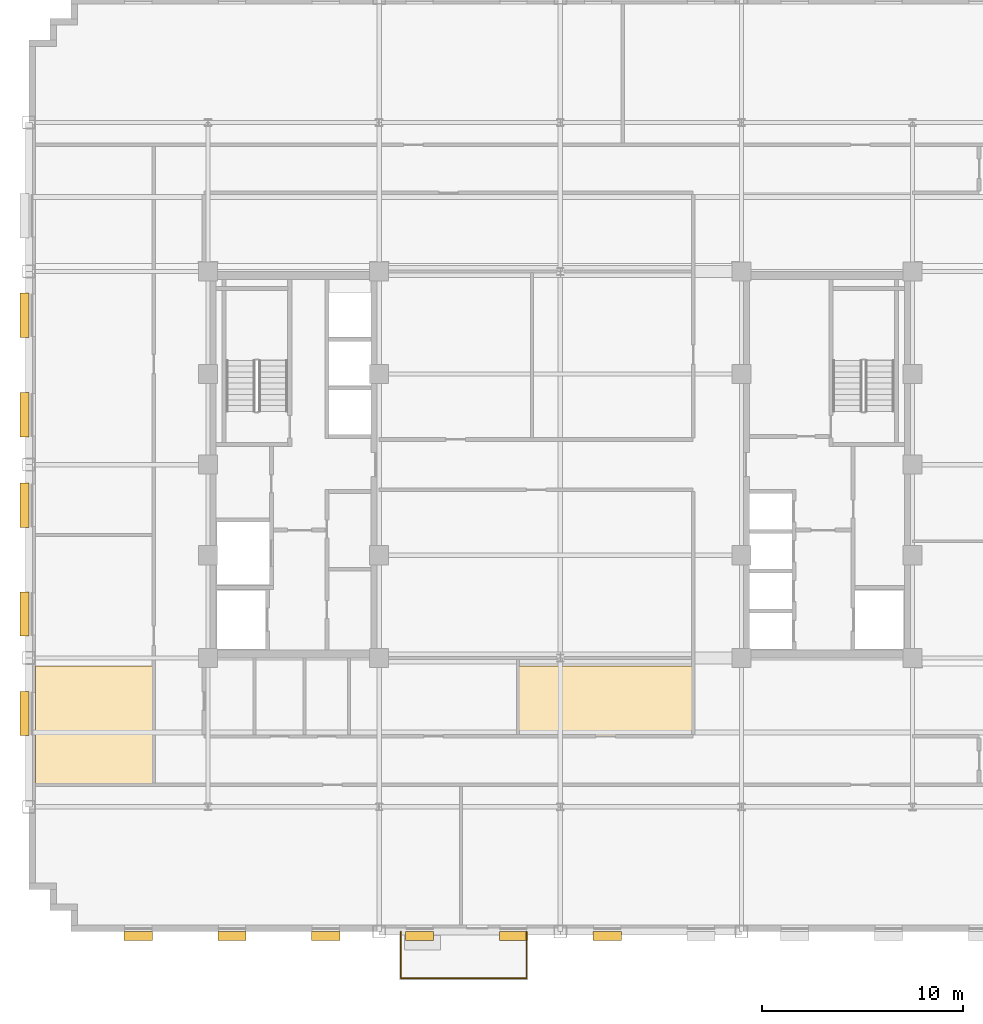
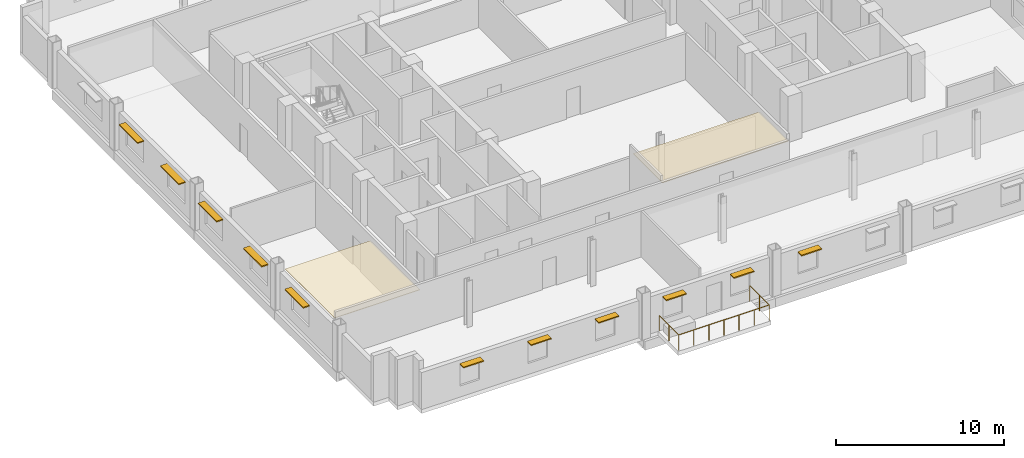
# One storey, part 10 of 14: 11 shading devices, 2 coverings, 1 railing.
"""IFC4 building model written with IfcOpenShell, lengths in metres."""

from ifc_helpers import new_model, si_unit, direction, frame, origin, origin_2d, place, context, subcontext, project, spatial, polyline, rectangle, circle, outline, extrude, source, transform, mapped, material, layer, layer_set, type_object, type_shapes, element, save


model = new_model("IFC4")

# Units and contexts
model_context = context("Model", 3, precision=1e-05, world=origin(), true_north=direction((0.0, 1.0)))
body_context = subcontext(model_context, "Body", "Model", "MODEL_VIEW")
ifc_project = project(units=[si_unit("LENGTHUNIT", "METRE"), si_unit("AREAUNIT", "SQUARE_METRE"), si_unit("VOLUMEUNIT", "CUBIC_METRE"), si_unit("PLANEANGLEUNIT", "RADIAN"), si_unit("MASSUNIT", "GRAM", prefix="KILO")], contexts=[model_context])

# Site, building, storey
site_placement = place(None, origin())
site = spatial("IfcSite", under=ifc_project, at=site_placement, CompositionType="ELEMENT")
building_placement = place(site_placement, origin())
building = spatial("IfcBuilding", under=site, at=building_placement, Name="Nuvemarco Arch Tower", CompositionType="ELEMENT")
storey_placement = place(building_placement, frame((0.0, 0.0, 131.14990234375)))
storey = spatial("IfcBuildingStorey", under=building, at=storey_placement, Name="L34", CompositionType="ELEMENT", Elevation=131.14990234375)

# Coverings
ifc_material_1 = material(Name="Mineral acoustic ceiling tile")
ifc_layer = layer(ifc_material_1, 0.0400390625, Name="COV-ACOUSTIC-CLG")
ifc_layer_set = layer_set([ifc_layer], Name="Mineral acoustic ceiling tile")
covering_type = type_object("IfcCoveringType", Name="COV-ACOUSTIC-CLG", PredefinedType="CEILING", material=ifc_layer_set)
covering_1_placement = place(storey_placement, frame((0.0, 0.0, 2.85009765625)))
element("IfcCovering", 1, at=covering_1_placement, inside=storey, type_object=covering_type, Name="L34 suspended acoustic ceiling 7", PredefinedType="CEILING", context=body_context, shape_type="SweptSolid", body=[
    extrude(outline(polyline([(-20.199951171875, -13.5), (-20.199951171875, -15.89990234375), (-26.080078125, -15.89990234375), (-26.080078125, -10.0), (-20.199951171875, -10.0), (-20.199951171875, -13.5)])), origin(), (0.0, 0.0, 1.0), 0.0400390625),
])
covering_2_placement = place(storey_placement, frame((0.0, 0.0, 2.85009765625)))
element("IfcCovering", 2, at=covering_2_placement, inside=storey, type_object=covering_type, Name="L34 suspended acoustic ceiling 8", PredefinedType="CEILING", context=body_context, shape_type="SweptSolid", body=[
    extrude(outline(polyline([(6.60009765625, -13.5), (-2.10009765625, -13.5), (-2.10009765625, -10.0), (6.60009765625, -10.0), (6.60009765625, -13.5)])), origin(), (0.0, 0.0, 1.0), 0.0400390625),
])

# Railing
ifc_material_2 = material(Name="Dark anodised balustrade steel S355", Category="steel")
railing_type = type_object("IfcRailingType", Name="RL-TERR-GUARD", PredefinedType="BALUSTRADE", material=ifc_material_2)
railing_placement = place(storey_placement, frame((-7.919921875, -23.199951171875, 0.0)))
element("IfcRailing", 3, at=railing_placement, inside=storey, type_object=railing_type, Name="L34 spiral terrace perimeter balustrade guard", PredefinedType="BALUSTRADE", context=body_context, shape_type="SweptSolid", body=[
    extrude(circle(Radius=0.02392578125, at=origin_2d()), frame((0.0, 0.0, 1.1259765625), z_axis=(0.0, -1.0, 0.0), x_axis=(1.0, 0.0, 0.0)), (0.0, 0.0, 1.0), 2.320068359375),
    extrude(circle(Radius=0.02392578125, at=origin_2d()), frame((0.0, -2.320068359375, 1.1259765625), z_axis=(1.0, 0.0, 0.0), x_axis=(0.0, 1.0, 0.0)), (0.0, 0.0, 1.0), 6.239990234375),
    extrude(circle(Radius=0.02392578125, at=origin_2d()), frame((6.239990234375, -2.320068359375, 1.1259765625), z_axis=(0.0, 1.0, 0.0), x_axis=(-1.0, 0.0, 0.0)), (0.0, 0.0, 1.0), 2.320068359375),
    extrude(circle(Radius=0.02099609375, at=origin_2d()), origin(), (0.0, 0.0, 1.0), 1.101806640625),
    extrude(circle(Radius=0.02099609375, at=origin_2d()), frame((0.0, -1.16015625, 0.0)), (0.0, 0.0, 1.0), 1.101806640625),
    extrude(circle(Radius=0.02099609375, at=origin_2d()), frame((0.0, -2.320068359375, 0.0)), (0.0, 0.0, 1.0), 1.101806640625),
    extrude(circle(Radius=0.02099609375, at=origin_2d()), frame((1.0400390625, -2.320068359375, 0.0)), (0.0, 0.0, 1.0), 1.101806640625),
    extrude(circle(Radius=0.02099609375, at=origin_2d()), frame((2.080078125, -2.320068359375, 0.0)), (0.0, 0.0, 1.0), 1.101806640625),
    extrude(circle(Radius=0.02099609375, at=origin_2d()), frame((3.1201171875, -2.320068359375, 0.0)), (0.0, 0.0, 1.0), 1.101806640625),
    extrude(circle(Radius=0.02099609375, at=origin_2d()), frame((4.159912109375, -2.320068359375, 0.0)), (0.0, 0.0, 1.0), 1.101806640625),
    extrude(circle(Radius=0.02099609375, at=origin_2d()), frame((5.199951171875, -2.320068359375, 0.0)), (0.0, 0.0, 1.0), 1.101806640625),
    extrude(circle(Radius=0.02099609375, at=origin_2d()), frame((6.239990234375, -2.320068359375, 0.0)), (0.0, 0.0, 1.0), 1.101806640625),
    extrude(circle(Radius=0.02099609375, at=origin_2d()), frame((6.239990234375, -1.16015625, 0.0)), (0.0, 0.0, 1.0), 1.101806640625),
    extrude(circle(Radius=0.02099609375, at=origin_2d()), frame((6.239990234375, 0.0, 0.0)), (0.0, 0.0, 1.0), 1.101806640625),
])

# Shading devices
ifc_material_3 = material(Name="Anodised aluminium 6063-T6", Category="aluminium")
shading_device_type_1 = type_object("IfcShadingDeviceType", Name="SHD-BRISE-SOLEIL", PredefinedType="USERDEFINED", material=ifc_material_3)
shared_shape_1 = source(origin(), body_context, "Body", "SweptSolid", [
    extrude(rectangle(XDim=2.199951171875, YDim=0.449951171875, at=origin_2d()), origin(), (0.0, 0.0, 1.0), 0.080078125),
])
type_shapes(shading_device_type_1, [shared_shape_1])
for number, where, z_axis, x_axis, name in (
    (4, (-26.614990234375, -12.364990234375, 2.364990234375), (0.0, 0.0, 1.0), (0.0, 1.0, 0.0), "L34 horizontal brise-soleil sunshade"),
    (5, (-26.614990234375, -7.4189453125, 2.364990234375), (0.0, 0.0, 1.0), (0.0, 1.0, 0.0), "L34 horizontal brise-soleil sunshade"),
    (6, (-26.614990234375, -2.02294921875, 2.364990234375), (0.0, 0.0, 1.0), (0.0, 1.0, 0.0), "L34 horizontal brise-soleil sunshade"),
    (7, (-26.614990234375, 2.472900390625, 2.364990234375), (0.0, 0.0, 1.0), (0.0, 1.0, 0.0), "L34 horizontal brise-soleil sunshade"),
    (8, (-26.614990234375, 7.4189453125, 2.364990234375), (0.0, 0.0, 1.0), (0.0, 1.0, 0.0), "L34 horizontal brise-soleil sunshade"),
):
    element("IfcShadingDevice", number, at=place(storey_placement, frame(where, z_axis=z_axis, x_axis=x_axis)), inside=storey, type_object=shading_device_type_1, Name=name, ObjectType="SUNSHADE", PredefinedType="USERDEFINED", context=body_context, shape_type="MappedRepresentation", body=[
        mapped(shared_shape_1, transform((0.0, 0.0, 0.0), scale=1.0)),
    ])
shading_device_type_2 = type_object("IfcShadingDeviceType", Name="SHD-BRISE-NARROW", PredefinedType="USERDEFINED", material=ifc_material_3)
shared_shape_2 = source(origin(), body_context, "Body", "SweptSolid", [
    extrude(rectangle(XDim=1.39990234375, YDim=0.449951171875, at=origin_2d()), origin(), (0.0, 0.0, 1.0), 0.080078125),
])
type_shapes(shading_device_type_2, [shared_shape_2])
for number, where, z_axis, x_axis, name in (
    (9, (-20.969970703125, -23.4150390625, 2.364990234375), (0.0, 0.0, 1.0), (1.0, 0.0, 0.0), "L34 horizontal brise-soleil sunshade"),
    (10, (-16.31005859375, -23.4150390625, 2.364990234375), (0.0, 0.0, 1.0), (1.0, 0.0, 0.0), "L34 horizontal brise-soleil sunshade"),
    (11, (-11.64990234375, -23.4150390625, 2.364990234375), (0.0, 0.0, 1.0), (1.0, 0.0, 0.0), "L34 horizontal brise-soleil sunshade"),
    (12, (-6.989990234375, -23.4150390625, 2.364990234375), (0.0, 0.0, 1.0), (1.0, 0.0, 0.0), "L34 horizontal brise-soleil sunshade"),
    (13, (-2.330078125, -23.4150390625, 2.364990234375), (0.0, 0.0, 1.0), (1.0, 0.0, 0.0), "L34 horizontal brise-soleil sunshade"),
    (14, (2.330078125, -23.4150390625, 2.364990234375), (0.0, 0.0, 1.0), (1.0, 0.0, 0.0), "L34 horizontal brise-soleil sunshade"),
):
    element("IfcShadingDevice", number, at=place(storey_placement, frame(where, z_axis=z_axis, x_axis=x_axis)), inside=storey, type_object=shading_device_type_2, Name=name, ObjectType="SUNSHADE", PredefinedType="USERDEFINED", context=body_context, shape_type="MappedRepresentation", body=[
        mapped(shared_shape_2, transform((0.0, 0.0, 0.0), scale=1.0)),
    ])

save(model, "model.ifc")
